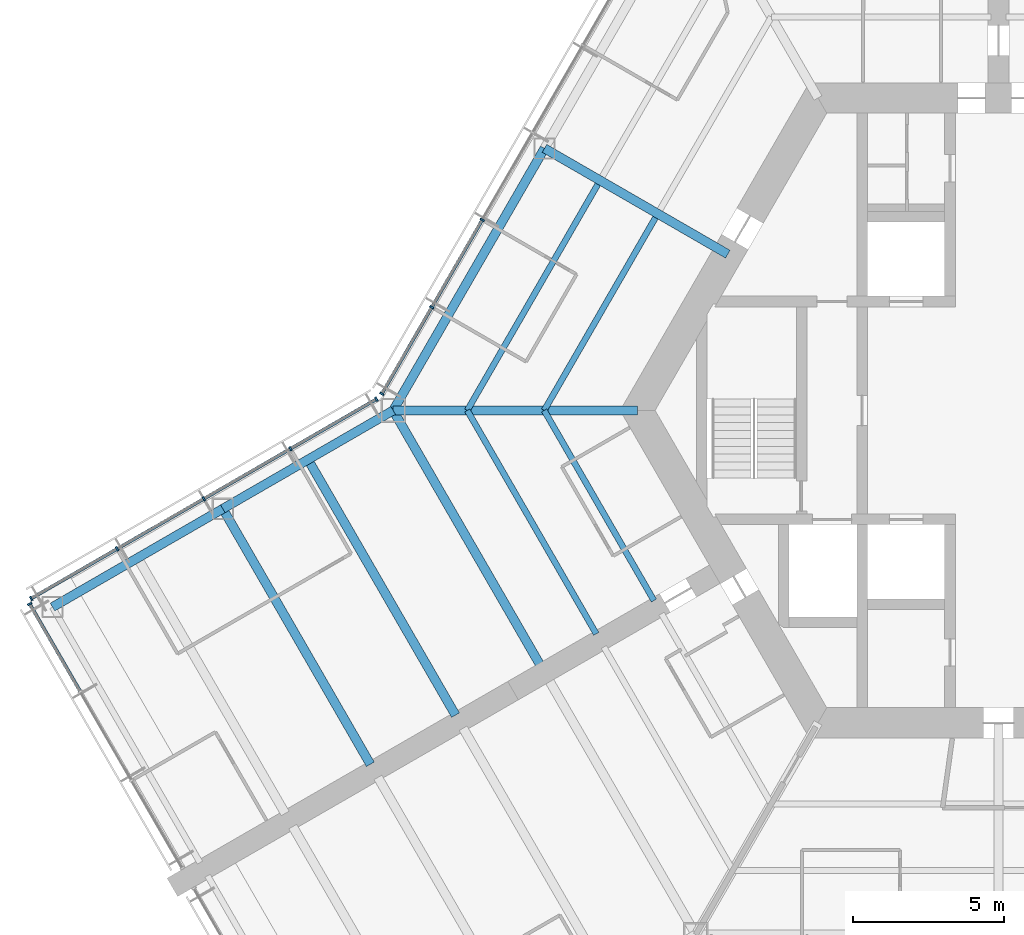
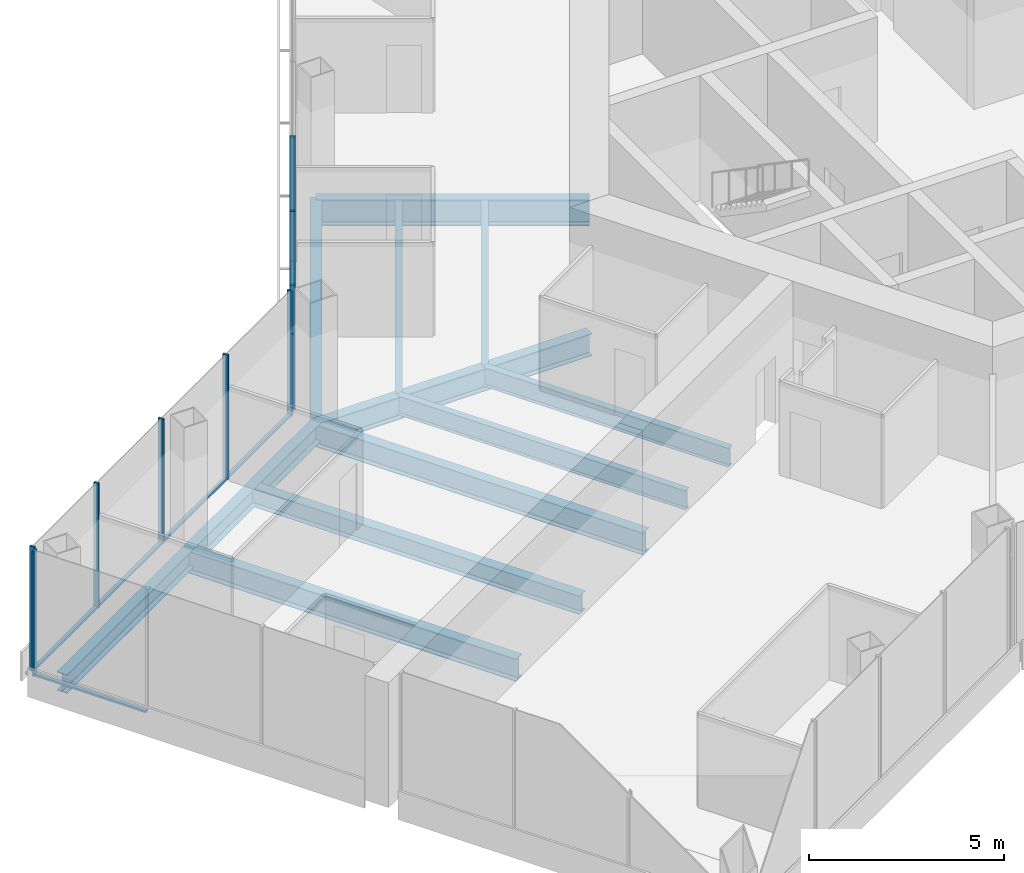
# One storey, part 4 of 18: 16 members, 12 beams, 3 elements without a shape of their own.
"""IFC4 building model written with IfcOpenShell, lengths in metres."""

from ifc_helpers import new_model, si_unit, direction, frame, origin, origin_2d, place, context, subcontext, project, spatial, rectangle, i_section, extrude, material, material_profile, profile_set, type_object, element, aggregate, save


model = new_model("IFC4")

# Units and contexts
model_context = context("Model", 3, precision=1e-05, world=origin(), true_north=direction((0.0, 1.0)))
body_context = subcontext(model_context, "Body", "Model", "MODEL_VIEW")
ifc_project = project(units=[si_unit("LENGTHUNIT", "METRE"), si_unit("AREAUNIT", "SQUARE_METRE"), si_unit("VOLUMEUNIT", "CUBIC_METRE"), si_unit("PLANEANGLEUNIT", "RADIAN"), si_unit("MASSUNIT", "GRAM", prefix="KILO")], contexts=[model_context])

# Site, building, storey
site_placement = place(None, origin())
site = spatial("IfcSite", under=ifc_project, at=site_placement, CompositionType="ELEMENT")
building_placement = place(site_placement, origin())
building = spatial("IfcBuilding", under=site, at=building_placement, Name="Kasaneha Research Tower", CompositionType="ELEMENT")
storey_placement = place(building_placement, frame((0.0, 0.0, 176.0)))
storey = spatial("IfcBuildingStorey", under=building, at=storey_placement, Name="L44", CompositionType="ELEMENT", Elevation=176.0)

# Beams
ifc_material_1 = material(Name="Steel SN490B", Category="steel")
ifc_material_profile_1 = material_profile(ifc_material_1, i_section(OverallWidth=0.199951171875, OverallDepth=0.60009765625, WebThickness=0.010986328125, FlangeThickness=0.01708984375, FilletRadius=0.012939453125, at=origin_2d()), Name="H-600x200x11x17")
ifc_profile_set_1 = profile_set([ifc_material_profile_1], Name="Steel SN490B")
beam_type_1 = type_object("IfcBeamType", Name="B1-3 secondary beam H-600x200x11x17", PredefinedType="JOIST", material=ifc_profile_set_1)
beam_1_placement = place(storey_placement, frame((-15.010986328125, 0.0, -0.449951171875), z_axis=(0.499994443168, 0.866028611999, 0.0), x_axis=(-0.866028611999, 0.499994443168, 0.0)))
element("IfcBeam", 1, at=beam_1_placement, inside=storey, type_object=beam_type_1, Name="Secondary beam RS150R1 L44", PredefinedType="JOIST", context=body_context, shape_type="SweptSolid", body=[
    extrude(i_section(OverallWidth=0.199951171875, OverallDepth=0.60009765625, WebThickness=0.010986328125, FlangeThickness=0.01708984375, FilletRadius=0.012939453125, at=origin_2d()), origin(), (0.0, 0.0, 1.0), 7.35546875),
])
beam_2_placement = place(storey_placement, frame((-17.551513671875, 0.0, -0.449951171875), z_axis=(0.5000050195, 0.866022505755, 0.0), x_axis=(-0.866022505755, 0.5000050195, 0.0)))
element("IfcBeam", 2, at=beam_2_placement, inside=storey, type_object=beam_type_1, Name="Secondary beam RS150R2 L44", PredefinedType="JOIST", context=body_context, shape_type="SweptSolid", body=[
    extrude(i_section(OverallWidth=0.199951171875, OverallDepth=0.60009765625, WebThickness=0.010986328125, FlangeThickness=0.01708984375, FilletRadius=0.012939453125, at=origin_2d()), origin(), (0.0, 0.0, 1.0), 8.6259765625),
])
beam_3_placement = place(storey_placement, frame((-15.010986328125, 0.0, -0.449951171875), z_axis=(0.499993340521, -0.866029248602, 0.0), x_axis=(0.866029248602, 0.499993340521, 0.0)))
element("IfcBeam", 3, at=beam_3_placement, inside=storey, type_object=beam_type_1, Name="Secondary beam RS210L1 L44", PredefinedType="JOIST", context=body_context, shape_type="SweptSolid", body=[
    extrude(i_section(OverallWidth=0.199951171875, OverallDepth=0.60009765625, WebThickness=0.010986328125, FlangeThickness=0.01708984375, FilletRadius=0.012939453125, at=origin_2d()), origin(), (0.0, 0.0, 1.0), 7.25537109375),
])
beam_4_placement = place(storey_placement, frame((-17.551513671875, 0.0, -0.449951171875), z_axis=(0.500004205306, -0.866022975836, 0.0), x_axis=(0.866022975836, 0.500004205306, 0.0)))
element("IfcBeam", 4, at=beam_4_placement, inside=storey, type_object=beam_type_1, Name="Secondary beam RS210L2 L44", PredefinedType="JOIST", context=body_context, shape_type="SweptSolid", body=[
    extrude(i_section(OverallWidth=0.199951171875, OverallDepth=0.60009765625, WebThickness=0.010986328125, FlangeThickness=0.01708984375, FilletRadius=0.012939453125, at=origin_2d()), origin(), (0.0, 0.0, 1.0), 8.52587890625),
])
ifc_material_2 = material(Name="Steel SN490B", Category="steel")
ifc_material_profile_2 = material_profile(ifc_material_2, i_section(OverallWidth=0.300048828125, OverallDepth=0.58203125, WebThickness=0.011962890625, FlangeThickness=0.01708984375, FilletRadius=0.012939453125, at=origin_2d()), Name="H-582x300x12x17")
ifc_profile_set_2 = profile_set([ifc_material_profile_2], Name="Steel SN490B")
beam_type_2 = type_object("IfcBeamType", Name="B2-3 secondary beam H-582x300x12x17", PredefinedType="JOIST", material=ifc_profile_set_2)
beam_5_placement = place(storey_placement, frame((-22.814697265625, -1.625, -0.44091796875), z_axis=(0.499995560238, -0.866027967067, 0.0), x_axis=(0.866027967067, 0.499995560238, 0.0)))
element("IfcBeam", 5, at=beam_5_placement, inside=storey, type_object=beam_type_2, Name="Secondary beam WBBP1 L44", PredefinedType="JOIST", context=body_context, shape_type="SweptSolid", body=[
    extrude(i_section(OverallWidth=0.300048828125, OverallDepth=0.58203125, WebThickness=0.011962890625, FlangeThickness=0.01708984375, FilletRadius=0.012939453125, at=origin_2d()), origin(), (0.0, 0.0, 1.0), 9.75),
])

# Curtain wall, members
ifc_material_3 = material(Name="Glass and aluminium", Category="aluminium")
curtain_wall_type = type_object("IfcCurtainWallType", Name="Mid-rise office curtain wall", PredefinedType="USERDEFINED", material=ifc_material_3)
curtain_wall_1_placement = place(storey_placement, origin())
curtain_wall_1 = element("IfcCurtainWall", 6, at=curtain_wall_1_placement, inside=storey, type_object=curtain_wall_type, Name="CW-O2 L44 run 08a", ObjectType="UNITISED CURTAIN WALL", PredefinedType="USERDEFINED")
ifc_material_4 = material(Name="Aluminium 6063-T6", Category="aluminium")
ifc_material_profile_3 = material_profile(ifc_material_4, rectangle(XDim=0.06005859375, YDim=0.14990234375, at=origin_2d()), Name="CW-O2 mullion 60x150")
ifc_profile_set_3 = profile_set([ifc_material_profile_3], Name="Aluminium 6063-T6")
member_type_1 = type_object("IfcMemberType", Name="CW-O2 mullion", PredefinedType="MULLION", material=ifc_profile_set_3)
member_1_placement = place(storey_placement, frame((-17.058349609375, 6.295166015625, 0.0), z_axis=(0.0, 0.0, 1.0), x_axis=(-0.499999979232, -0.866025415775, 0.0)))
member_1 = element("IfcMember", 7, at=member_1_placement, type_object=member_type_1, Name="CW-O2 mullion 5", PredefinedType="MULLION", context=body_context, shape_type="SweptSolid", body=[
    extrude(rectangle(XDim=0.06005859375, YDim=0.14990234375, at=origin_2d()), origin(), (0.0, 0.0, 1.0), 3.89990234375),
])
member_2_placement = place(storey_placement, frame((-18.723876953125, 3.410400390625, 0.0), z_axis=(0.0, 0.0, 1.0), x_axis=(-0.499999979232, -0.866025415775, 0.0)))
member_2 = element("IfcMember", 8, at=member_2_placement, type_object=member_type_1, Name="CW-O2 mullion 6", PredefinedType="MULLION", context=body_context, shape_type="SweptSolid", body=[
    extrude(rectangle(XDim=0.06005859375, YDim=0.14990234375, at=origin_2d()), origin(), (0.0, 0.0, 1.0), 3.89990234375),
])
member_3_placement = place(storey_placement, frame((-20.374267578125, 0.5517578125, 0.0), z_axis=(0.0, 0.0, 1.0), x_axis=(-0.499999979232, -0.866025415775, 0.0)))
member_3 = element("IfcMember", 9, at=member_3_placement, type_object=member_type_1, Name="CW-O2 mullion 7", PredefinedType="MULLION", context=body_context, shape_type="SweptSolid", body=[
    extrude(rectangle(XDim=0.06005859375, YDim=0.14990234375, at=origin_2d()), origin(), (0.0, 0.0, 1.0), 3.89990234375),
])

curtain_wall_2_placement = place(storey_placement, origin())
curtain_wall_2 = element("IfcCurtainWall", 10, at=curtain_wall_2_placement, inside=storey, type_object=curtain_wall_type, Name="CW-O2 L44 run 09a", ObjectType="UNITISED CURTAIN WALL", PredefinedType="USERDEFINED")
member_4_placement = place(storey_placement, frame((-20.5517578125, 0.374267578125, 0.0), z_axis=(0.0, 0.0, 1.0), x_axis=(-0.866025411464, -0.499999986699, 0.0)))
member_4 = element("IfcMember", 11, at=member_4_placement, type_object=member_type_1, Name="CW-O2 mullion 1", PredefinedType="MULLION", context=body_context, shape_type="SweptSolid", body=[
    extrude(rectangle(XDim=0.06005859375, YDim=0.14990234375, at=origin_2d()), origin(), (0.0, 0.0, 1.0), 3.89990234375),
])
member_5_placement = place(storey_placement, frame((-23.39208984375, -1.265625, 0.0), z_axis=(0.0, 0.0, 1.0), x_axis=(-0.866025411464, -0.499999986699, 0.0)))
member_5 = element("IfcMember", 12, at=member_5_placement, type_object=member_type_1, Name="CW-O2 mullion 2", PredefinedType="MULLION", context=body_context, shape_type="SweptSolid", body=[
    extrude(rectangle(XDim=0.06005859375, YDim=0.14990234375, at=origin_2d()), origin(), (0.0, 0.0, 1.0), 3.89990234375),
])
member_6_placement = place(storey_placement, frame((-26.258544921875, -2.920654296875, 0.0), z_axis=(0.0, 0.0, 1.0), x_axis=(-0.866025411464, -0.499999986699, 0.0)))
member_6 = element("IfcMember", 13, at=member_6_placement, type_object=member_type_1, Name="CW-O2 mullion 3", PredefinedType="MULLION", context=body_context, shape_type="SweptSolid", body=[
    extrude(rectangle(XDim=0.06005859375, YDim=0.14990234375, at=origin_2d()), origin(), (0.0, 0.0, 1.0), 3.89990234375),
])
member_7_placement = place(storey_placement, frame((-29.125, -4.575439453125, 0.0), z_axis=(0.0, 0.0, 1.0), x_axis=(-0.866025411464, -0.499999986699, 0.0)))
member_7 = element("IfcMember", 14, at=member_7_placement, type_object=member_type_1, Name="CW-O2 mullion 4", PredefinedType="MULLION", context=body_context, shape_type="SweptSolid", body=[
    extrude(rectangle(XDim=0.06005859375, YDim=0.14990234375, at=origin_2d()), origin(), (0.0, 0.0, 1.0), 3.89990234375),
])
member_8_placement = place(storey_placement, frame((-31.96533203125, -6.21533203125, 0.0), z_axis=(0.0, 0.0, 1.0), x_axis=(-0.866025411464, -0.499999986699, 0.0)))
member_8 = element("IfcMember", 15, at=member_8_placement, type_object=member_type_1, Name="CW-O2 mullion 5", PredefinedType="MULLION", context=body_context, shape_type="SweptSolid", body=[
    extrude(rectangle(XDim=0.06005859375, YDim=0.14990234375, at=origin_2d()), origin(), (0.0, 0.0, 1.0), 3.89990234375),
])

# Curtain wall, member
curtain_wall_3_placement = place(storey_placement, origin())
curtain_wall_3 = element("IfcCurtainWall", 16, at=curtain_wall_3_placement, inside=storey, type_object=curtain_wall_type, Name="CW-O2 L44 run 10a", ObjectType="UNITISED CURTAIN WALL", PredefinedType="USERDEFINED")
member_9_placement = place(storey_placement, frame((-32.012939453125, -6.39306640625, 0.0), z_axis=(0.0, 0.0, 1.0), x_axis=(0.500000011442, -0.866025397178, 0.0)))
member_9 = element("IfcMember", 17, at=member_9_placement, type_object=member_type_1, Name="CW-O2 mullion 1", PredefinedType="MULLION", context=body_context, shape_type="SweptSolid", body=[
    extrude(rectangle(XDim=0.06005859375, YDim=0.14990234375, at=origin_2d()), origin(), (0.0, 0.0, 1.0), 3.89990234375),
])

# Member
ifc_material_5 = material(Name="Aluminium 6063-T6", Category="aluminium")
ifc_material_profile_4 = material_profile(ifc_material_5, rectangle(XDim=0.110107421875, YDim=0.06005859375, at=origin_2d()), Name="CW-O2 transom 110x60")
ifc_profile_set_4 = profile_set([ifc_material_profile_4], Name="Aluminium 6063-T6")
member_type_2 = type_object("IfcMemberType", Name="CW-O2 transom", PredefinedType="USERDEFINED", material=ifc_profile_set_4)
member_10_placement = place(storey_placement, frame((-17.0732421875, 6.269287109375, 0.030029296875), z_axis=(-0.500000270186, -0.866025247793, 0.0), x_axis=(0.866025247793, -0.500000270186, 0.0)))
member_10 = element("IfcMember", 18, at=member_10_placement, type_object=member_type_2, Name="CW-O2 transom 5", ObjectType="TRANSOM", PredefinedType="USERDEFINED", context=body_context, shape_type="SweptSolid", body=[
    extrude(rectangle(XDim=0.110107421875, YDim=0.06005859375, at=origin_2d()), origin(), (0.0, 0.0, 1.0), 3.27099609375),
])

member_11_placement = place(storey_placement, frame((-18.73876953125, 3.384521484375, 0.030029296875), z_axis=(-0.499987643696, -0.866032537582, 0.0), x_axis=(0.866032537582, -0.499987643696, 0.0)))
member_11 = element("IfcMember", 19, at=member_11_placement, type_object=member_type_2, Name="CW-O2 transom 6", ObjectType="TRANSOM", PredefinedType="USERDEFINED", context=body_context, shape_type="SweptSolid", body=[
    extrude(rectangle(XDim=0.110107421875, YDim=0.06005859375, at=origin_2d()), origin(), (0.0, 0.0, 1.0), 3.24072265625),
])

aggregate(curtain_wall_1, [member_1, member_2, member_3, member_10, member_11])

member_12_placement = place(storey_placement, frame((-20.577880859375, 0.359130859375, 0.030029296875), z_axis=(-0.866022692473, -0.500004696101, 0.0), x_axis=(0.500004696101, -0.866022692473, 0.0)))
member_12 = element("IfcMember", 20, at=member_12_placement, type_object=member_type_2, Name="CW-O2 transom 1", ObjectType="TRANSOM", PredefinedType="USERDEFINED", context=body_context, shape_type="SweptSolid", body=[
    extrude(rectangle(XDim=0.110107421875, YDim=0.06005859375, at=origin_2d()), origin(), (0.0, 0.0, 1.0), 3.2197265625),
])

member_13_placement = place(storey_placement, frame((-23.418212890625, -1.28076171875, 0.030029296875), z_axis=(-0.86604797581, -0.499960902066, 0.0), x_axis=(0.499960902066, -0.86604797581, 0.0)))
member_13 = element("IfcMember", 21, at=member_13_placement, type_object=member_type_2, Name="CW-O2 transom 2", ObjectType="TRANSOM", PredefinedType="USERDEFINED", context=body_context, shape_type="SweptSolid", body=[
    extrude(rectangle(XDim=0.110107421875, YDim=0.06005859375, at=origin_2d()), origin(), (0.0, 0.0, 1.0), 3.249755859375),
])

member_14_placement = place(storey_placement, frame((-26.28466796875, -2.935546875, 0.030029296875), z_axis=(-0.86599666273, -0.500049777664, 0.0), x_axis=(0.500049777664, -0.86599666273, 0.0)))
member_14 = element("IfcMember", 22, at=member_14_placement, type_object=member_type_2, Name="CW-O2 transom 3", ObjectType="TRANSOM", PredefinedType="USERDEFINED", context=body_context, shape_type="SweptSolid", body=[
    extrude(rectangle(XDim=0.110107421875, YDim=0.06005859375, at=origin_2d()), origin(), (0.0, 0.0, 1.0), 3.249755859375),
])

member_15_placement = place(storey_placement, frame((-29.15087890625, -4.590576171875, 0.030029296875), z_axis=(-0.866041647767, -0.499971863542, 0.0), x_axis=(0.499971863542, -0.866041647767, 0.0)))
member_15 = element("IfcMember", 23, at=member_15_placement, type_object=member_type_2, Name="CW-O2 transom 4", ObjectType="TRANSOM", PredefinedType="USERDEFINED", context=body_context, shape_type="SweptSolid", body=[
    extrude(rectangle(XDim=0.110107421875, YDim=0.06005859375, at=origin_2d()), origin(), (0.0, 0.0, 1.0), 3.219970703125),
])

aggregate(curtain_wall_2, [member_4, member_5, member_6, member_7, member_8, member_12, member_13, member_14, member_15])

member_16_placement = place(storey_placement, frame((-31.998046875, -6.4189453125, 0.030029296875), z_axis=(0.500021914551, -0.866012751043, 0.0), x_axis=(0.866012751043, 0.500021914551, 0.0)))
member_16 = element("IfcMember", 24, at=member_16_placement, type_object=member_type_2, Name="CW-O2 transom 1", ObjectType="TRANSOM", PredefinedType="USERDEFINED", context=body_context, shape_type="SweptSolid", body=[
    extrude(rectangle(XDim=0.110107421875, YDim=0.06005859375, at=origin_2d()), origin(), (0.0, 0.0, 1.0), 3.293212890625),
])

aggregate(curtain_wall_3, [member_9, member_16])

# Beams
ifc_material_6 = material(Name="Steel SN490B", Category="steel")
ifc_material_profile_5 = material_profile(ifc_material_6, i_section(OverallWidth=0.300048828125, OverallDepth=0.699951171875, WebThickness=0.012939453125, FlangeThickness=0.02392578125, FilletRadius=0.01806640625, at=origin_2d()), Name="H-700x300x13x24")
ifc_profile_set_5 = profile_set([ifc_material_profile_5], Name="Steel SN490B")
beam_type_3 = type_object("IfcBeamType", Name="G1-3 radial girder H-700x300x13x24", PredefinedType="BEAM", material=ifc_profile_set_5)
beam_6_placement = place(storey_placement, frame((-11.92236328125, 0.0, -0.5), z_axis=(-1.0, 0.0, 0.0), x_axis=(0.0, -1.0, 0.0)))
element("IfcBeam", 25, at=beam_6_placement, inside=storey, type_object=beam_type_3, Name="Radial girder RV180 L44", PredefinedType="BEAM", context=body_context, shape_type="SweptSolid", body=[
    extrude(i_section(OverallWidth=0.300048828125, OverallDepth=0.699951171875, WebThickness=0.012939453125, FlangeThickness=0.02392578125, FilletRadius=0.01806640625, at=origin_2d()), origin(), (0.0, 0.0, 1.0), 8.07763671875),
])
ifc_material_7 = material(Name="Steel SN490B", Category="steel")
ifc_material_profile_6 = material_profile(ifc_material_7, i_section(OverallWidth=0.300048828125, OverallDepth=0.800048828125, WebThickness=0.013916015625, FlangeThickness=0.02587890625, FilletRadius=0.01806640625, at=origin_2d()), Name="H-800x300x14x26")
ifc_profile_set_6 = profile_set([ifc_material_profile_6], Name="Steel SN490B")
beam_type_4 = type_object("IfcBeamType", Name="G2-3 radial girder H-800x300x14x26", PredefinedType="BEAM", material=ifc_profile_set_6)
beam_7_placement = place(storey_placement, frame((-8.941650390625, 5.16259765625, -0.550048828125), z_axis=(-0.866039713508, 0.499975214012, 0.0), x_axis=(-0.499975214012, -0.866039713508, 0.0)))
element("IfcBeam", 26, at=beam_7_placement, inside=storey, type_object=beam_type_4, Name="Radial girder RM150 L44", PredefinedType="BEAM", context=body_context, shape_type="SweptSolid", body=[
    extrude(i_section(OverallWidth=0.300048828125, OverallDepth=0.800048828125, WebThickness=0.013916015625, FlangeThickness=0.02587890625, FilletRadius=0.01806640625, at=origin_2d()), origin(), (0.0, 0.0, 1.0), 6.995361328125),
])
ifc_material_8 = material(Name="Steel SN490B", Category="steel")
ifc_material_profile_7 = material_profile(ifc_material_8, i_section(OverallWidth=0.300048828125, OverallDepth=0.69189453125, WebThickness=0.012939453125, FlangeThickness=0.02001953125, FilletRadius=0.01806640625, at=origin_2d()), Name="H-692x300x13x20")
ifc_profile_set_7 = profile_set([ifc_material_profile_7], Name="Steel SN490B")
beam_type_5 = type_object("IfcBeamType", Name="G3-3 plate edge girder H-692x300x13x20", PredefinedType="BEAM", material=ifc_profile_set_7)
beam_8_placement = place(storey_placement, frame((-20.0, 0.0, -0.49609375), z_axis=(0.499995560238, -0.866027967067, 0.0), x_axis=(0.866027967067, 0.499995560238, 0.0)))
element("IfcBeam", 27, at=beam_8_placement, inside=storey, type_object=beam_type_5, Name="Plate edge girder PEBP L44", PredefinedType="BEAM", context=body_context, shape_type="SweptSolid", body=[
    extrude(i_section(OverallWidth=0.300048828125, OverallDepth=0.69189453125, WebThickness=0.012939453125, FlangeThickness=0.02001953125, FilletRadius=0.01806640625, at=origin_2d()), origin(), (0.0, 0.0, 1.0), 9.75),
])
ifc_material_9 = material(Name="Steel SN490B", Category="steel")
ifc_material_profile_8 = material_profile(ifc_material_9, i_section(OverallWidth=0.300048828125, OverallDepth=0.699951171875, WebThickness=0.012939453125, FlangeThickness=0.02392578125, FilletRadius=0.01806640625, at=origin_2d()), Name="H-700x300x13x24")
ifc_profile_set_8 = profile_set([ifc_material_profile_8], Name="Steel SN490B")
beam_type_6 = type_object("IfcBeamType", Name="G4-3 wing girder H-700x300x13x24", PredefinedType="BEAM", material=ifc_profile_set_8)
beam_9_placement = place(storey_placement, frame((-25.629150390625, -3.25, -0.5), z_axis=(0.499995560238, -0.866027967067, 0.0), x_axis=(0.866027967067, 0.499995560238, 0.0)))
element("IfcBeam", 28, at=beam_9_placement, inside=storey, type_object=beam_type_6, Name="Wing girder WGBP L44", PredefinedType="BEAM", context=body_context, shape_type="SweptSolid", body=[
    extrude(i_section(OverallWidth=0.300048828125, OverallDepth=0.699951171875, WebThickness=0.012939453125, FlangeThickness=0.02392578125, FilletRadius=0.01806640625, at=origin_2d()), origin(), (0.0, 0.0, 1.0), 9.75),
])
ifc_material_10 = material(Name="Steel SN490B", Category="steel")
ifc_material_profile_9 = material_profile(ifc_material_10, i_section(OverallWidth=0.300048828125, OverallDepth=0.69189453125, WebThickness=0.012939453125, FlangeThickness=0.02001953125, FilletRadius=0.01806640625, at=origin_2d()), Name="H-692x300x13x20")
ifc_profile_set_9 = profile_set([ifc_material_profile_9], Name="Steel SN490B")
beam_type_7 = type_object("IfcBeamType", Name="SB1-3 spandrel beam H-692x300x13x20", PredefinedType="SPANDREL", material=ifc_profile_set_9)
beam_10_placement = place(storey_placement, frame((-20.0, 0.0, -0.49609375), z_axis=(0.500004234368, 0.866022959057, 0.0), x_axis=(-0.866022959057, 0.500004234368, 0.0)))
element("IfcBeam", 29, at=beam_10_placement, inside=storey, type_object=beam_type_7, Name="Spandrel beam SR150R L44", PredefinedType="SPANDREL", context=body_context, shape_type="SweptSolid", body=[
    extrude(i_section(OverallWidth=0.300048828125, OverallDepth=0.69189453125, WebThickness=0.012939453125, FlangeThickness=0.02001953125, FilletRadius=0.01806640625, at=origin_2d()), origin(), (0.0, 0.0, 1.0), 10.0),
])
ifc_material_11 = material(Name="Steel SN490B", Category="steel")
ifc_material_profile_10 = material_profile(ifc_material_11, i_section(OverallWidth=0.300048828125, OverallDepth=0.58203125, WebThickness=0.011962890625, FlangeThickness=0.01708984375, FilletRadius=0.012939453125, at=origin_2d()), Name="H-582x300x12x17")
ifc_profile_set_10 = profile_set([ifc_material_profile_10], Name="Steel SN490B")
beam_type_8 = type_object("IfcBeamType", Name="SB2-3 spandrel beam H-582x300x12x17", PredefinedType="SPANDREL", material=ifc_profile_set_10)
for number, where, z_axis, x_axis, name in (
    (30, (-20.0, 0.0, -0.44091796875), (-0.866024837091, -0.50000098154, 0.0), (0.50000098154, -0.866024837091, 0.0), "Spandrel beam WSBP1 L44"),
    (31, (-25.629150390625, -3.25, -0.44091796875), (-0.866024837091, -0.50000098154, 0.0), (0.50000098154, -0.866024837091, 0.0), "Spandrel beam WSBP2 L44"),
):
    element("IfcBeam", number, at=place(storey_placement, frame(where, z_axis=z_axis, x_axis=x_axis)), inside=storey, type_object=beam_type_8, Name=name, PredefinedType="SPANDREL", context=body_context, shape_type="SweptSolid", body=[
        extrude(i_section(OverallWidth=0.300048828125, OverallDepth=0.58203125, WebThickness=0.011962890625, FlangeThickness=0.01708984375, FilletRadius=0.012939453125, at=origin_2d()), origin(), (0.0, 0.0, 1.0), 6.5),
    ])

save(model, "model.ifc")
